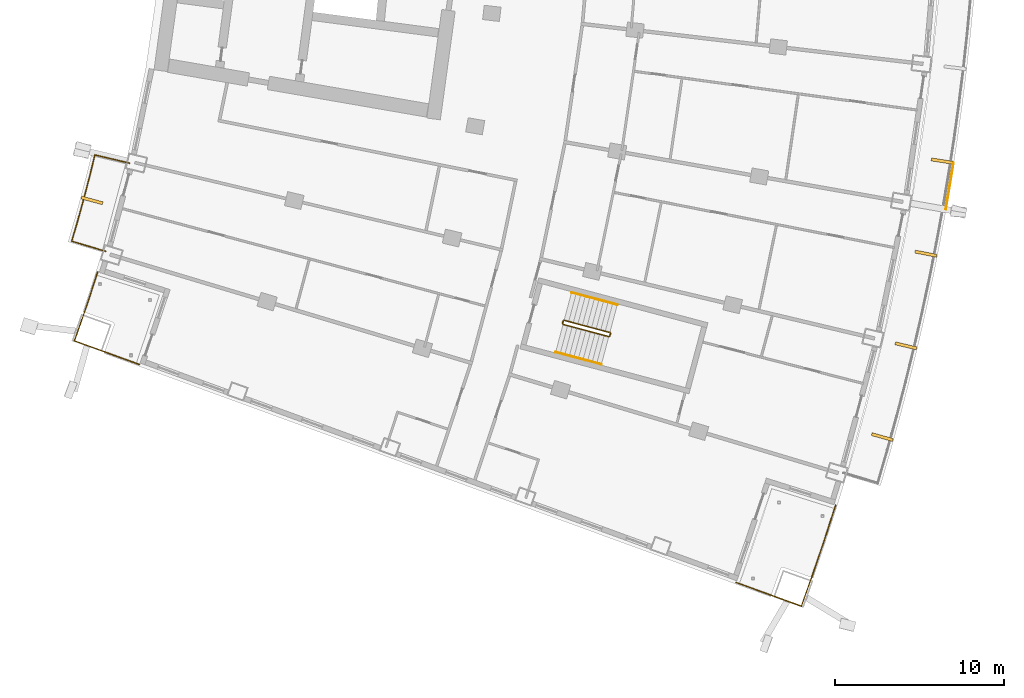
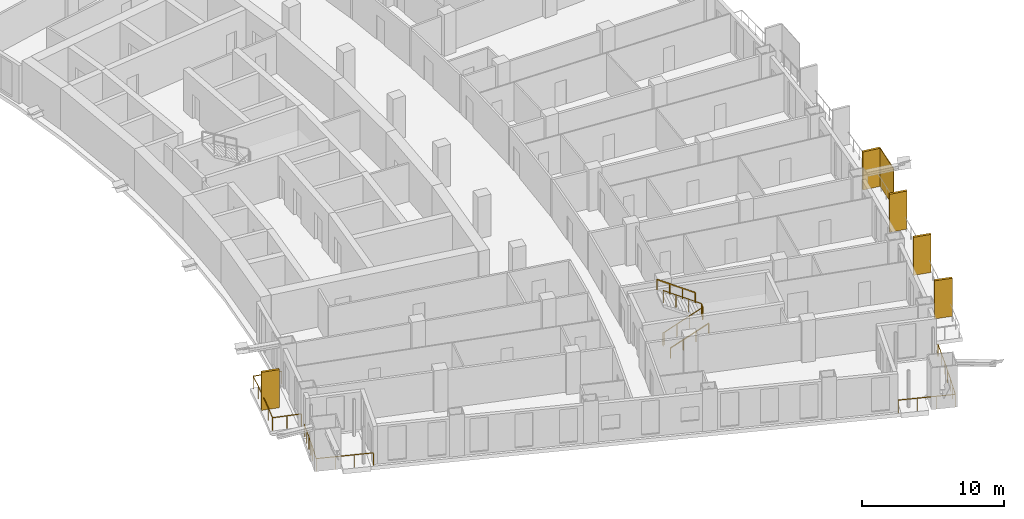
# One storey, part 21 of 23: 6 railings, 6 shading devices.
"""IFC4 building model written with IfcOpenShell, lengths in metres."""

from ifc_helpers import new_model, si_unit, direction, frame, origin, origin_2d, place, context, subcontext, project, spatial, rectangle, extrude, material, layer, layer_set, type_object, element, save


model = new_model("IFC4")

# Units and contexts
model_context = context("Model", 3, precision=1e-05, world=origin(), true_north=direction((0.0, 1.0)))
body_context = subcontext(model_context, "Body", "Model", "MODEL_VIEW")
ifc_project = project(units=[si_unit("LENGTHUNIT", "METRE"), si_unit("AREAUNIT", "SQUARE_METRE"), si_unit("VOLUMEUNIT", "CUBIC_METRE"), si_unit("PLANEANGLEUNIT", "RADIAN"), si_unit("MASSUNIT", "GRAM", prefix="KILO")], contexts=[model_context])

# Site, building, storey
site_placement = place(None, origin())
site = spatial("IfcSite", under=ifc_project, at=site_placement, CompositionType="ELEMENT")
building_placement = place(site_placement, origin())
building = spatial("IfcBuilding", under=site, at=building_placement, Name="Alderwake Tower", CompositionType="ELEMENT")
storey_placement = place(building_placement, frame((0.0, 0.0, 100.39990234375)))
storey = spatial("IfcBuildingStorey", under=building, at=storey_placement, Name="L24", CompositionType="ELEMENT", Elevation=100.39990234375)

# Railings
ifc_material_1 = material(Name="Stainless steel 316 rail and posts", Category="steel")
railing_type_1 = type_object("IfcRailingType", Name="Balcony guard 1100", PredefinedType="GUARDRAIL", material=ifc_material_1)
railing_1_placement = place(storey_placement, frame((12.16650390625, 33.435791015625, 0.0)))
element("IfcRailing", 1, at=railing_1_placement, inside=storey, type_object=railing_type_1, Name="Guard BR02", PredefinedType="GUARDRAIL", context=body_context, shape_type="SweptSolid", body=[
    extrude(rectangle(XDim=0.048095703125, YDim=0.048095703125, at=origin_2d()), frame((0.0, 0.0, 1.076171875), z_axis=(-0.958091458885, 0.286462486918, 0.0), x_axis=(-0.286462486918, -0.958091458885, 0.0)), (0.0, 0.0, 1.0), 2.099853515625),
    extrude(rectangle(XDim=0.048095703125, YDim=0.048095703125, at=origin_2d()), frame((-2.011962890625, 0.6015625, 1.076171875), z_axis=(0.279963157487, 0.960010744966, 0.0), x_axis=(-0.960010744966, 0.279963157487, 0.0)), (0.0, 0.0, 1.0), 1.272216796875),
    extrude(rectangle(XDim=0.048095703125, YDim=0.048095703125, at=origin_2d()), frame((-1.65576171875, 1.822998046875, 1.076171875), z_axis=(0.266487604617, 0.963838345671, 0.0), x_axis=(-0.963838345671, 0.266487604617, 0.0)), (0.0, 0.0, 1.0), 1.372314453125),
    extrude(rectangle(XDim=0.048095703125, YDim=0.048095703125, at=origin_2d()), frame((-1.2900390625, 3.145751953125, 1.076171875), z_axis=(0.252487086228, 0.967600264204, 0.0), x_axis=(-0.967600264204, 0.252487086228, 0.0)), (0.0, 0.0, 1.0), 1.3720703125),
    extrude(rectangle(XDim=0.048095703125, YDim=0.048095703125, at=origin_2d()), frame((-0.943603515625, 4.473388671875, 1.076171875), z_axis=(0.238877101641, 0.971049808358, 0.0), x_axis=(-0.971049808358, 0.238877101641, 0.0)), (0.0, 0.0, 1.0), 1.2724609375),
    extrude(rectangle(XDim=0.048095703125, YDim=0.048095703125, at=origin_2d()), frame((-0.6396484375, 5.708984375, 1.076171875), z_axis=(0.972646310656, -0.232291098337, 0.0), x_axis=(0.232291098337, 0.972646310656, 0.0)), (0.0, 0.0, 1.0), 2.099853515625),
    extrude(rectangle(XDim=0.0419921875, YDim=0.0419921875, at=origin_2d()), frame((0.0, 0.0, 0.0), z_axis=(0.0, 0.0, 1.0), x_axis=(-0.958091458885, 0.286462486918, 0.0)), (0.0, 0.0, 1.0), 1.052001953125),
    extrude(rectangle(XDim=0.0419921875, YDim=0.0419921875, at=origin_2d()), frame((-1.005859375, 0.30078125, 0.0), z_axis=(0.0, 0.0, 1.0), x_axis=(-0.958091458885, 0.286462486918, 0.0)), (0.0, 0.0, 1.0), 1.052001953125),
    extrude(rectangle(XDim=0.0419921875, YDim=0.0419921875, at=origin_2d()), frame((-2.011962890625, 0.6015625, 0.0), z_axis=(0.0, 0.0, 1.0), x_axis=(0.279963157487, 0.960010744966, 0.0)), (0.0, 0.0, 1.0), 1.052001953125),
    extrude(rectangle(XDim=0.0419921875, YDim=0.0419921875, at=origin_2d()), frame((-1.65576171875, 1.822998046875, 0.0), z_axis=(0.0, 0.0, 1.0), x_axis=(0.266487604617, 0.963838345671, 0.0)), (0.0, 0.0, 1.0), 1.052001953125),
    extrude(rectangle(XDim=0.0419921875, YDim=0.0419921875, at=origin_2d()), frame((-1.2900390625, 3.145751953125, 0.0), z_axis=(0.0, 0.0, 1.0), x_axis=(0.252487086228, 0.967600264204, 0.0)), (0.0, 0.0, 1.0), 1.052001953125),
    extrude(rectangle(XDim=0.0419921875, YDim=0.0419921875, at=origin_2d()), frame((-0.943603515625, 4.473388671875, 0.0), z_axis=(0.0, 0.0, 1.0), x_axis=(0.238877101641, 0.971049808358, 0.0)), (0.0, 0.0, 1.0), 1.052001953125),
    extrude(rectangle(XDim=0.0419921875, YDim=0.0419921875, at=origin_2d()), frame((-0.6396484375, 5.708984375, 0.0), z_axis=(0.0, 0.0, 1.0), x_axis=(0.972646310656, -0.232291098337, 0.0)), (0.0, 0.0, 1.0), 1.052001953125),
    extrude(rectangle(XDim=0.0419921875, YDim=0.0419921875, at=origin_2d()), frame((0.381591796875, 5.465087890625, 0.0), z_axis=(0.0, 0.0, 1.0), x_axis=(0.972646310656, -0.232291098337, 0.0)), (0.0, 0.0, 1.0), 1.052001953125),
    extrude(rectangle(XDim=0.0419921875, YDim=0.0419921875, at=origin_2d()), frame((1.40283203125, 5.22119140625, 0.0), z_axis=(0.0, 0.0, 1.0), x_axis=(0.972646310656, -0.232291098337, 0.0)), (0.0, 0.0, 1.0), 1.052001953125),
])
railing_2_placement = place(storey_placement, frame((55.357666015625, 18.409912109375, 0.0)))
element("IfcRailing", 2, at=railing_2_placement, inside=storey, type_object=railing_type_1, Name="Guard terrace FS", PredefinedType="GUARDRAIL", context=body_context, shape_type="SweptSolid", body=[
    extrude(rectangle(XDim=0.048095703125, YDim=0.048095703125, at=origin_2d()), frame((0.0, 0.0, 1.076171875), z_axis=(-0.307791641716, -0.951453785157, 0.0), x_axis=(0.951453785157, -0.307791641716, 0.0)), (0.0, 0.0, 1.0), 2.269287109375),
    extrude(rectangle(XDim=0.048095703125, YDim=0.048095703125, at=origin_2d()), frame((-0.698486328125, -2.1591796875, 1.076171875), z_axis=(-0.322203060236, -0.946670580495, 0.0), x_axis=(0.946670580495, -0.322203060236, 0.0)), (0.0, 0.0, 1.0), 2.0693359375),
    extrude(rectangle(XDim=0.048095703125, YDim=0.048095703125, at=origin_2d()), frame((-1.365234375, -4.1181640625, 1.076171875), z_axis=(-0.335723744503, -0.94196049141, 0.0), x_axis=(0.94196049141, -0.335723744503, 0.0)), (0.0, 0.0, 1.0), 1.96923828125),
    extrude(rectangle(XDim=0.048095703125, YDim=0.048095703125, at=origin_2d()), frame((-2.0263671875, -5.97314453125, 1.076171875), z_axis=(-0.939624669849, 0.342206779317, 0.0), x_axis=(-0.342206779317, -0.939624669849, 0.0)), (0.0, 0.0, 1.0), 4.10009765625),
    extrude(rectangle(XDim=0.0419921875, YDim=0.0419921875, at=origin_2d()), frame((0.0, 0.0, 0.0), z_axis=(0.0, 0.0, 1.0), x_axis=(-0.307791641716, -0.951453785157, 0.0)), (0.0, 0.0, 1.0), 1.052001953125),
    extrude(rectangle(XDim=0.0419921875, YDim=0.0419921875, at=origin_2d()), frame((-0.34912109375, -1.07958984375, 0.0), z_axis=(0.0, 0.0, 1.0), x_axis=(-0.307791641716, -0.951453785157, 0.0)), (0.0, 0.0, 1.0), 1.052001953125),
    extrude(rectangle(XDim=0.0419921875, YDim=0.0419921875, at=origin_2d()), frame((-0.698486328125, -2.1591796875, 0.0), z_axis=(0.0, 0.0, 1.0), x_axis=(-0.322203060236, -0.946670580495, 0.0)), (0.0, 0.0, 1.0), 1.052001953125),
    extrude(rectangle(XDim=0.0419921875, YDim=0.0419921875, at=origin_2d()), frame((-1.03173828125, -3.138671875, 0.0), z_axis=(0.0, 0.0, 1.0), x_axis=(-0.322203060236, -0.946670580495, 0.0)), (0.0, 0.0, 1.0), 1.052001953125),
    extrude(rectangle(XDim=0.0419921875, YDim=0.0419921875, at=origin_2d()), frame((-1.365234375, -4.1181640625, 0.0), z_axis=(0.0, 0.0, 1.0), x_axis=(-0.335723744503, -0.94196049141, 0.0)), (0.0, 0.0, 1.0), 1.052001953125),
    extrude(rectangle(XDim=0.0419921875, YDim=0.0419921875, at=origin_2d()), frame((-1.69580078125, -5.045654296875, 0.0), z_axis=(0.0, 0.0, 1.0), x_axis=(-0.335723744503, -0.94196049141, 0.0)), (0.0, 0.0, 1.0), 1.052001953125),
    extrude(rectangle(XDim=0.0419921875, YDim=0.0419921875, at=origin_2d()), frame((-2.0263671875, -5.97314453125, 0.0), z_axis=(0.0, 0.0, 1.0), x_axis=(-0.939624669849, 0.342206779317, 0.0)), (0.0, 0.0, 1.0), 1.052001953125),
    extrude(rectangle(XDim=0.0419921875, YDim=0.0419921875, at=origin_2d()), frame((-3.310546875, -5.50537109375, 0.0), z_axis=(0.0, 0.0, 1.0), x_axis=(-0.939624669849, 0.342206779317, 0.0)), (0.0, 0.0, 1.0), 1.052001953125),
    extrude(rectangle(XDim=0.0419921875, YDim=0.0419921875, at=origin_2d()), frame((-4.5947265625, -5.037841796875, 0.0), z_axis=(0.0, 0.0, 1.0), x_axis=(-0.939624669849, 0.342206779317, 0.0)), (0.0, 0.0, 1.0), 1.052001953125),
    extrude(rectangle(XDim=0.0419921875, YDim=0.0419921875, at=origin_2d()), frame((-5.87890625, -4.570068359375, 0.0), z_axis=(0.0, 0.0, 1.0), x_axis=(-0.939624669849, 0.342206779317, 0.0)), (0.0, 0.0, 1.0), 1.052001953125),
])
railing_3_placement = place(storey_placement, frame((11.688720703125, 32.218017578125, 0.0)))
element("IfcRailing", 3, at=railing_3_placement, inside=storey, type_object=railing_type_1, Name="Guard terrace RS", PredefinedType="GUARDRAIL", context=body_context, shape_type="SweptSolid", body=[
    extrude(rectangle(XDim=0.048095703125, YDim=0.048095703125, at=origin_2d()), frame((0.0, 0.0, 1.076171875), z_axis=(-0.307479326145, -0.951554761426, 0.0), x_axis=(0.951554761426, -0.307479326145, 0.0)), (0.0, 0.0, 1.0), 1.6015625),
    extrude(rectangle(XDim=0.048095703125, YDim=0.048095703125, at=origin_2d()), frame((-0.492431640625, -1.52392578125, 1.076171875), z_axis=(-0.322283727344, -0.946643121292, 0.0), x_axis=(0.946643121292, -0.322283727344, 0.0)), (0.0, 0.0, 1.0), 1.4013671875),
    extrude(rectangle(XDim=0.048095703125, YDim=0.048095703125, at=origin_2d()), frame((-0.944091796875, -2.8505859375, 1.076171875), z_axis=(-0.335468607403, -0.942051385778, 0.0), x_axis=(0.942051385778, -0.335468607403, 0.0)), (0.0, 0.0, 1.0), 1.30126953125),
    extrude(rectangle(XDim=0.048095703125, YDim=0.048095703125, at=origin_2d()), frame((-1.380615234375, -4.076416015625, 1.076171875), z_axis=(0.939708203232, -0.341977327873, 0.0), x_axis=(0.341977327873, 0.939708203232, 0.0)), (0.0, 0.0, 1.0), 4.10009765625),
    extrude(rectangle(XDim=0.0419921875, YDim=0.0419921875, at=origin_2d()), frame((0.0, 0.0, 0.0), z_axis=(0.0, 0.0, 1.0), x_axis=(-0.307479326145, -0.951554761426, 0.0)), (0.0, 0.0, 1.0), 1.052001953125),
    extrude(rectangle(XDim=0.0419921875, YDim=0.0419921875, at=origin_2d()), frame((-0.24609375, -0.761962890625, 0.0), z_axis=(0.0, 0.0, 1.0), x_axis=(-0.307479326145, -0.951554761426, 0.0)), (0.0, 0.0, 1.0), 1.052001953125),
    extrude(rectangle(XDim=0.0419921875, YDim=0.0419921875, at=origin_2d()), frame((-0.492431640625, -1.52392578125, 0.0), z_axis=(0.0, 0.0, 1.0), x_axis=(-0.322283727344, -0.946643121292, 0.0)), (0.0, 0.0, 1.0), 1.052001953125),
    extrude(rectangle(XDim=0.0419921875, YDim=0.0419921875, at=origin_2d()), frame((-0.71826171875, -2.187255859375, 0.0), z_axis=(0.0, 0.0, 1.0), x_axis=(-0.322283727344, -0.946643121292, 0.0)), (0.0, 0.0, 1.0), 1.052001953125),
    extrude(rectangle(XDim=0.0419921875, YDim=0.0419921875, at=origin_2d()), frame((-0.944091796875, -2.8505859375, 0.0), z_axis=(0.0, 0.0, 1.0), x_axis=(-0.335468607403, -0.942051385778, 0.0)), (0.0, 0.0, 1.0), 1.052001953125),
    extrude(rectangle(XDim=0.0419921875, YDim=0.0419921875, at=origin_2d()), frame((-1.380615234375, -4.076416015625, 0.0), z_axis=(0.0, 0.0, 1.0), x_axis=(0.939708203232, -0.341977327873, 0.0)), (0.0, 0.0, 1.0), 1.052001953125),
    extrude(rectangle(XDim=0.0419921875, YDim=0.0419921875, at=origin_2d()), frame((-0.096435546875, -4.543701171875, 0.0), z_axis=(0.0, 0.0, 1.0), x_axis=(0.939708203232, -0.341977327873, 0.0)), (0.0, 0.0, 1.0), 1.052001953125),
    extrude(rectangle(XDim=0.0419921875, YDim=0.0419921875, at=origin_2d()), frame((1.18798828125, -5.01123046875, 0.0), z_axis=(0.0, 0.0, 1.0), x_axis=(0.939708203232, -0.341977327873, 0.0)), (0.0, 0.0, 1.0), 1.052001953125),
    extrude(rectangle(XDim=0.0419921875, YDim=0.0419921875, at=origin_2d()), frame((2.47216796875, -5.478515625, 0.0), z_axis=(0.0, 0.0, 1.0), x_axis=(0.939708203232, -0.341977327873, 0.0)), (0.0, 0.0, 1.0), 1.052001953125),
])

# Shading devices
ifc_material_2 = material(Name="Bronze anodised aluminium", Category="aluminium")
ifc_layer_1 = layer(ifc_material_2, 0.179931640625)
ifc_layer_set_1 = layer_set([ifc_layer_1], Name="Facade fin 1300")
shading_device_type_1 = type_object("IfcShadingDeviceType", Name="Facade fin 1300", PredefinedType="USERDEFINED", material=ifc_layer_set_1)
for number, where, z_axis, x_axis, name in (
    (4, (58.120361328125, 22.44677734375, 0.0), (0.0, 0.0, 1.0), (0.96318180783, -0.268850897459, 0.0), "Fin"),
    (5, (59.51513671875, 27.847412109375, 0.0), (0.0, 0.0, 1.0), (0.972908790564, -0.231189284448, 0.0), "Fin"),
    (6, (60.698974609375, 33.29833984375, 0.0), (0.0, 0.0, 1.0), (0.981163751315, -0.193177879441, 0.0), "Fin"),
    (7, (61.66748046875, 38.77685546875, 0.0), (0.0, 0.0, 1.0), (0.987918787879, -0.154972476771, 0.0), "Fin"),
    (8, (11.359375, 36.45166015625, 0.0), (0.0, 0.0, 1.0), (0.965744448231, -0.259495010957, 0.0), "Fin"),
):
    element("IfcShadingDevice", number, at=place(storey_placement, frame(where, z_axis=z_axis, x_axis=x_axis)), inside=storey, type_object=shading_device_type_1, Name=name, ObjectType="FIN", PredefinedType="USERDEFINED", context=body_context, shape_type="SweptSolid", body=[
        extrude(rectangle(XDim=1.300048828125, YDim=0.179931640625, at=origin_2d()), origin(), (0.0, 0.0, 1.0), 3.280029296875),
    ])
ifc_material_3 = material(Name="Perforated bronze anodised aluminium", Category="aluminium")
ifc_layer_2 = layer(ifc_material_3, 0.050048828125)
ifc_layer_set_2 = layer_set([ifc_layer_2], Name="Perforated screen panel")
shading_device_type_2 = type_object("IfcShadingDeviceType", Name="Perforated screen panel", PredefinedType="USERDEFINED", material=ifc_layer_set_2)
shading_device_placement = place(storey_placement, frame((62.1044921875, 37.293701171875, 0.0), z_axis=(0.0, 0.0, 1.0), x_axis=(0.986369013299, -0.164548380739, 0.0)))
element("IfcShadingDevice", 9, at=shading_device_placement, inside=storey, type_object=shading_device_type_2, Name="Screen panel", ObjectType="SCREEN", PredefinedType="USERDEFINED", context=body_context, shape_type="SweptSolid", body=[
    extrude(rectangle(XDim=0.050048828125, YDim=2.794921875, at=origin_2d()), origin(), (0.0, 0.0, 1.0), 3.280029296875),
])

# Railings
ifc_material_4 = material(Name="Stainless steel guard", Category="steel")
railing_type_2 = type_object("IfcRailingType", Name="Stair guard 1100", PredefinedType="GUARDRAIL", material=ifc_material_4)
railing_4_placement = place(storey_placement, frame((39.1943359375, 29.17431640625, 0.0)))
element("IfcRailing", 10, at=railing_4_placement, inside=storey, type_object=railing_type_2, Name="L24 ST-C stair guard 1", PredefinedType="GUARDRAIL", context=body_context, shape_type="SweptSolid", body=[
    extrude(rectangle(XDim=0.048095703125, YDim=0.048095703125, at=origin_2d()), frame((0.0, 0.0, 1.076171875), z_axis=(0.257459803502, 0.966289009345, 0.0), x_axis=(-0.966289009345, 0.257459803502, 0.0)), (0.0, 0.0, 1.0), 0.14990234375),
    extrude(rectangle(XDim=0.048095703125, YDim=0.048095703125, at=origin_2d()), frame((0.03857421875, 0.144775390625, 1.076171875), z_axis=(-0.012055935761, -0.782708444821, 0.622271761226), x_axis=(0.999881397308, -0.015401016783, 0.0)), (0.0, 0.0, 1.0), 0.26318359375),
    extrude(rectangle(XDim=0.048095703125, YDim=0.048095703125, at=origin_2d()), frame((0.035400390625, -0.061279296875, 1.23974609375), z_axis=(0.834313512087, -0.222222637163, 0.504517653885), x_axis=(0.257380452725, 0.966310148221, 0.0)), (0.0, 0.0, 1.0), 3.2431640625),
    extrude(rectangle(XDim=0.048095703125, YDim=0.048095703125, at=origin_2d()), frame((2.7412109375, -0.781982421875, 2.8759765625), z_axis=(0.865031189262, 0.501718089772, 0.0), x_axis=(-0.501718089772, 0.865031189262, 0.0)), (0.0, 0.0, 1.0), 0.070556640625),
    extrude(rectangle(XDim=0.048095703125, YDim=0.048095703125, at=origin_2d()), frame((2.80224609375, -0.74658203125, 2.8759765625), z_axis=(0.257055032184, 0.966396766566, 0.0), x_axis=(-0.966396766566, 0.257055032184, 0.0)), (0.0, 0.0, 1.0), 0.150146484375),
    extrude(rectangle(XDim=0.048095703125, YDim=0.048095703125, at=origin_2d()), frame((2.8408203125, -0.6015625, 2.8759765625), z_axis=(-0.198625291617, 0.343827228937, 0.91778583023), x_axis=(-0.865898279276, -0.500220121494, 0.0)), (0.0, 0.0, 1.0), 0.17822265625),
    extrude(rectangle(XDim=0.048095703125, YDim=0.048095703125, at=origin_2d()), frame((2.805419921875, -0.540283203125, 3.03955078125), z_axis=(-0.834258940753, 0.22222815314, 0.504605457487), x_axis=(-0.257402139082, -0.966304371715, 0.0)), (0.0, 0.0, 1.0), 3.2431640625),
    extrude(rectangle(XDim=0.0419921875, YDim=0.0419921875, at=origin_2d()), frame((0.0, 0.0, 0.0), z_axis=(0.0, 0.0, 1.0), x_axis=(0.257459803502, 0.966289009345, 0.0)), (0.0, 0.0, 1.0), 1.052001953125),
    extrude(rectangle(XDim=0.0419921875, YDim=0.0419921875, at=origin_2d()), frame((0.03857421875, 0.144775390625, 0.0), z_axis=(0.0, 0.0, 1.0), x_axis=(-0.015401016783, -0.999881397308, 0.0)), (0.0, 0.0, 1.0), 1.052001953125),
    extrude(rectangle(XDim=0.0419921875, YDim=0.0419921875, at=origin_2d()), frame((0.035400390625, -0.061279296875, 0.163818359375), z_axis=(0.0, 0.0, 1.0), x_axis=(0.966310148221, -0.257380452725, 0.0)), (0.0, 0.0, 1.0), 1.052001953125),
    extrude(rectangle(XDim=0.0419921875, YDim=0.0419921875, at=origin_2d()), frame((0.937255859375, -0.301513671875, 0.709228515625), z_axis=(0.0, 0.0, 1.0), x_axis=(0.966310148221, -0.257380452725, 0.0)), (0.0, 0.0, 1.0), 1.052001953125),
    extrude(rectangle(XDim=0.0419921875, YDim=0.0419921875, at=origin_2d()), frame((1.83935546875, -0.541748046875, 1.254638671875), z_axis=(0.0, 0.0, 1.0), x_axis=(0.966310148221, -0.257380452725, 0.0)), (0.0, 0.0, 1.0), 1.052001953125),
    extrude(rectangle(XDim=0.0419921875, YDim=0.0419921875, at=origin_2d()), frame((2.7412109375, -0.781982421875, 1.800048828125), z_axis=(0.0, 0.0, 1.0), x_axis=(0.865031189262, 0.501718089772, 0.0)), (0.0, 0.0, 1.0), 1.052001953125),
    extrude(rectangle(XDim=0.0419921875, YDim=0.0419921875, at=origin_2d()), frame((2.80224609375, -0.74658203125, 1.800048828125), z_axis=(0.0, 0.0, 1.0), x_axis=(0.257055032184, 0.966396766566, 0.0)), (0.0, 0.0, 1.0), 1.052001953125),
    extrude(rectangle(XDim=0.0419921875, YDim=0.0419921875, at=origin_2d()), frame((2.8408203125, -0.6015625, 1.800048828125), z_axis=(0.0, 0.0, 1.0), x_axis=(-0.500220121494, 0.865898279276, 0.0)), (0.0, 0.0, 1.0), 1.052001953125),
    extrude(rectangle(XDim=0.0419921875, YDim=0.0419921875, at=origin_2d()), frame((2.805419921875, -0.540283203125, 1.963623046875), z_axis=(0.0, 0.0, 1.0), x_axis=(-0.966304371715, 0.257402139082, 0.0)), (0.0, 0.0, 1.0), 1.052001953125),
    extrude(rectangle(XDim=0.0419921875, YDim=0.0419921875, at=origin_2d()), frame((1.903564453125, -0.300048828125, 2.509033203125), z_axis=(0.0, 0.0, 1.0), x_axis=(-0.966304371715, 0.257402139082, 0.0)), (0.0, 0.0, 1.0), 1.052001953125),
    extrude(rectangle(XDim=0.0419921875, YDim=0.0419921875, at=origin_2d()), frame((1.001708984375, -0.059814453125, 3.0546875), z_axis=(0.0, 0.0, 1.0), x_axis=(-0.966304371715, 0.257402139082, 0.0)), (0.0, 0.0, 1.0), 1.052001953125),
    extrude(rectangle(XDim=0.0419921875, YDim=0.0419921875, at=origin_2d()), frame((0.099853515625, 0.180419921875, 3.60009765625), z_axis=(0.0, 0.0, 1.0), x_axis=(-0.966304371715, 0.257402139082, 0.0)), (0.0, 0.0, 1.0), 1.052001953125),
])
ifc_material_5 = material(Name="Stainless steel handrail", Category="steel")
railing_type_3 = type_object("IfcRailingType", Name="Stair handrail 900", PredefinedType="HANDRAIL", material=ifc_material_5)
railing_5_placement = place(storey_placement, frame((38.792236328125, 27.47021484375, 0.163818359375)))
element("IfcRailing", 11, at=railing_5_placement, inside=storey, type_object=railing_type_3, Name="L24 ST-C stair handrail 1", PredefinedType="HANDRAIL", context=body_context, shape_type="SweptSolid", body=[
    extrude(rectangle(XDim=0.048095703125, YDim=0.048095703125, at=origin_2d()), frame((0.0, 0.0, 0.8759765625), z_axis=(0.834304587439, -0.222165027751, 0.504557782442), x_axis=(0.25732071773, 0.966326056891, 0.0)), (0.0, 0.0, 1.0), 3.242919921875),
    extrude(rectangle(XDim=0.0419921875, YDim=0.0419921875, at=origin_2d()), frame((0.0, 0.0, 0.0), z_axis=(0.0, 0.0, 1.0), x_axis=(0.966326056891, -0.25732071773, 0.0)), (0.0, 0.0, 1.0), 0.851806640625),
    extrude(rectangle(XDim=0.0419921875, YDim=0.0419921875, at=origin_2d()), frame((0.90185546875, -0.240234375, 0.54541015625), z_axis=(0.0, 0.0, 1.0), x_axis=(0.966326056891, -0.25732071773, 0.0)), (0.0, 0.0, 1.0), 0.851806640625),
    extrude(rectangle(XDim=0.0419921875, YDim=0.0419921875, at=origin_2d()), frame((1.8037109375, -0.480224609375, 1.0908203125), z_axis=(0.0, 0.0, 1.0), x_axis=(0.966326056891, -0.25732071773, 0.0)), (0.0, 0.0, 1.0), 0.851806640625),
    extrude(rectangle(XDim=0.0419921875, YDim=0.0419921875, at=origin_2d()), frame((2.70556640625, -0.720458984375, 1.63623046875), z_axis=(0.0, 0.0, 1.0), x_axis=(0.966326056891, -0.25732071773, 0.0)), (0.0, 0.0, 1.0), 0.851806640625),
])
railing_6_placement = place(storey_placement, frame((42.437255859375, 30.276611328125, 1.963623046875)))
element("IfcRailing", 12, at=railing_6_placement, inside=storey, type_object=railing_type_3, Name="L24 ST-C stair handrail 2", PredefinedType="HANDRAIL", context=body_context, shape_type="SweptSolid", body=[
    extrude(rectangle(XDim=0.048095703125, YDim=0.048095703125, at=origin_2d()), frame((0.0, 0.0, 0.8759765625), z_axis=(-0.834258940753, 0.22222815314, 0.504605457487), x_axis=(-0.257402139082, -0.966304371715, 0.0)), (0.0, 0.0, 1.0), 3.2431640625),
    extrude(rectangle(XDim=0.0419921875, YDim=0.0419921875, at=origin_2d()), frame((0.0, 0.0, 0.0), z_axis=(0.0, 0.0, 1.0), x_axis=(-0.966304371715, 0.257402139082, 0.0)), (0.0, 0.0, 1.0), 0.851806640625),
    extrude(rectangle(XDim=0.0419921875, YDim=0.0419921875, at=origin_2d()), frame((-0.90185546875, 0.240234375, 0.54541015625), z_axis=(0.0, 0.0, 1.0), x_axis=(-0.966304371715, 0.257402139082, 0.0)), (0.0, 0.0, 1.0), 0.851806640625),
    extrude(rectangle(XDim=0.0419921875, YDim=0.0419921875, at=origin_2d()), frame((-1.8037109375, 0.48046875, 1.091064453125), z_axis=(0.0, 0.0, 1.0), x_axis=(-0.966304371715, 0.257402139082, 0.0)), (0.0, 0.0, 1.0), 0.851806640625),
    extrude(rectangle(XDim=0.0419921875, YDim=0.0419921875, at=origin_2d()), frame((-2.70556640625, 0.720703125, 1.636474609375), z_axis=(0.0, 0.0, 1.0), x_axis=(-0.966304371715, 0.257402139082, 0.0)), (0.0, 0.0, 1.0), 0.851806640625),
])

save(model, "model.ifc")
